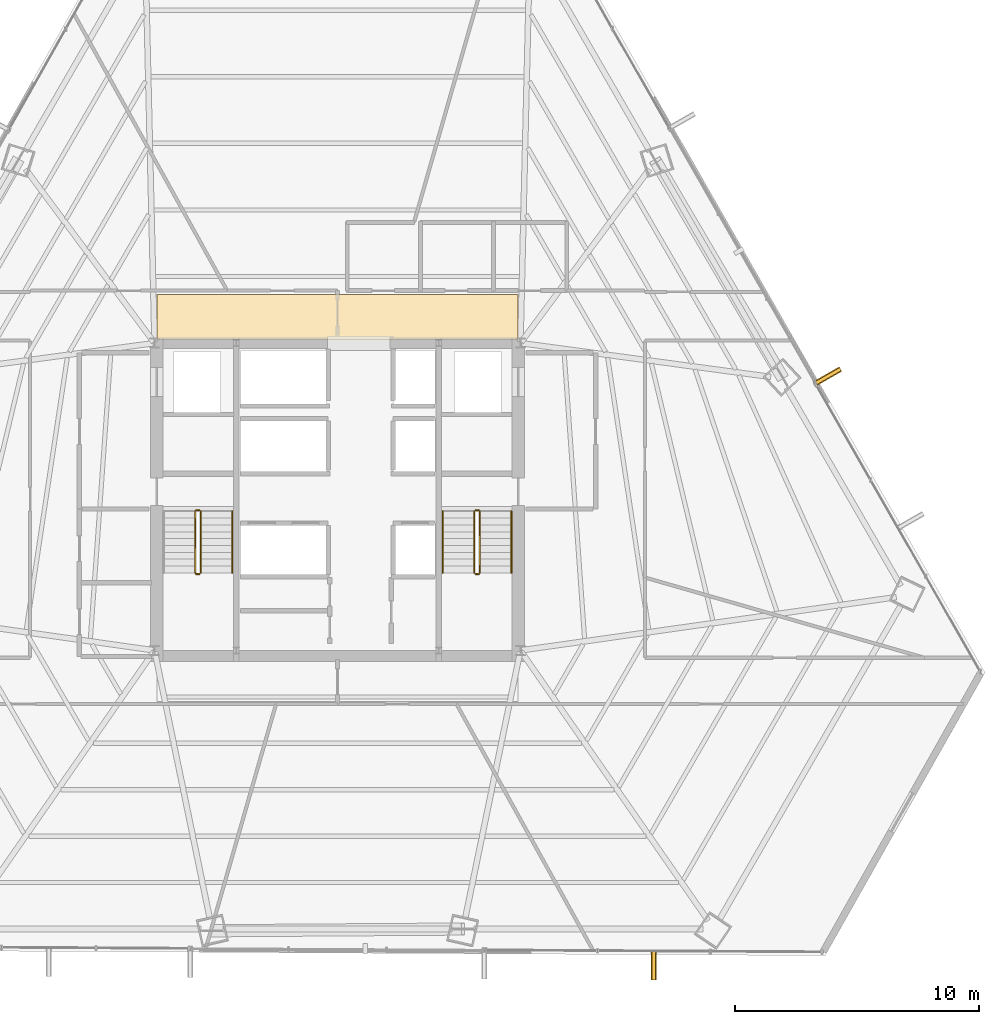
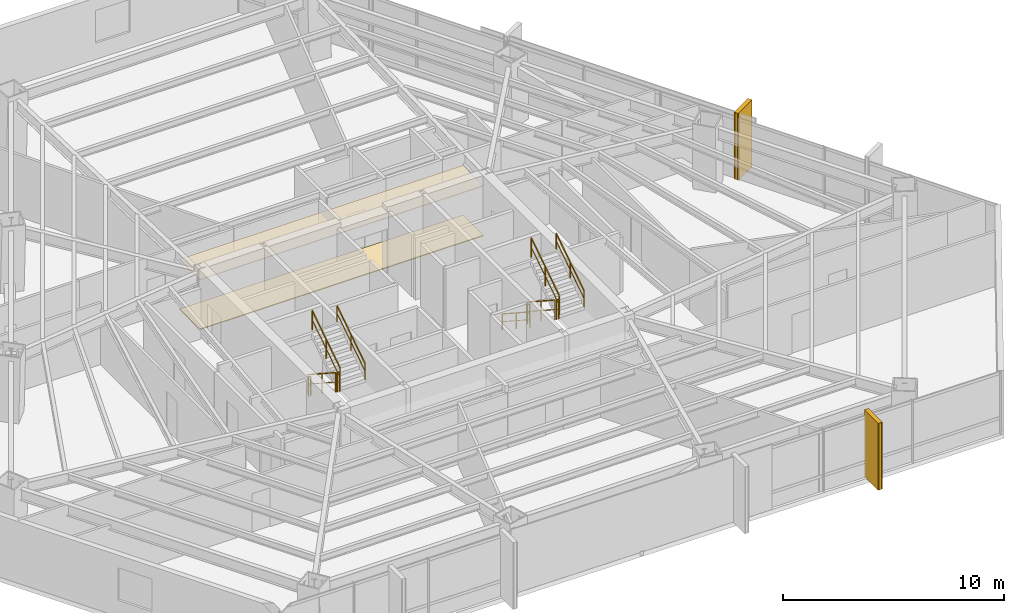
# One storey, part 35 of 36: 11 railings, 4 coverings, 2 shading devices.
"""IFC4 building model written with IfcOpenShell, lengths in metres."""

from ifc_helpers import new_model, si_unit, direction, frame, origin, origin_2d, place, context, subcontext, project, spatial, polyline, rectangle, outline, extrude, source, transform, mapped, material, layer, layer_set, type_object, type_shapes, element, save


model = new_model("IFC4")

# Units and contexts
model_context = context("Model", 3, precision=1e-05, world=origin(), true_north=direction((0.0, 1.0)))
body_context = subcontext(model_context, "Body", "Model", "MODEL_VIEW")
ifc_project = project(units=[si_unit("LENGTHUNIT", "METRE"), si_unit("AREAUNIT", "SQUARE_METRE"), si_unit("VOLUMEUNIT", "CUBIC_METRE"), si_unit("PLANEANGLEUNIT", "RADIAN"), si_unit("MASSUNIT", "GRAM", prefix="KILO")], contexts=[model_context])

# Site, building, storey
site_placement = place(None, origin())
site = spatial("IfcSite", under=ifc_project, at=site_placement, CompositionType="ELEMENT")
building_placement = place(site_placement, origin())
building = spatial("IfcBuilding", under=site, at=building_placement, Name="Caelisora Broadcast Tower", CompositionType="ELEMENT")
storey_placement = place(building_placement, frame((0.0, 0.0, 83.5)))
storey = spatial("IfcBuildingStorey", under=building, at=storey_placement, Name="L21", CompositionType="ELEMENT", Elevation=83.5)

# Coverings
ifc_material_1 = material(Name="Perforated Mineral-Fibre Acoustic Ceiling Tile", Category="gypsum")
ifc_layer_1 = layer(ifc_material_1, 0.034912109375, Name="Perforated Mineral-Fibre Acoustic Ceiling Tile")
ifc_layer_set_1 = layer_set([ifc_layer_1], Name="Perforated Mineral-Fibre Acoustic Ceiling Tile")
covering_type_1 = type_object("IfcCoveringType", Name="CE-1", PredefinedType="CEILING", material=ifc_layer_set_1)
covering_1_placement = place(storey_placement, frame((0.0, 0.0, 2.75)))
element("IfcCovering", 1, at=covering_1_placement, inside=storey, type_object=covering_type_1, Name="L21 acoustic corridor ceiling CE-1 (N)", PredefinedType="CEILING", context=body_context, shape_type="SweptSolid", body=[
    extrude(outline(polyline([(30.60009765625, 30.14990234375), (45.39990234375, 30.14990234375), (45.39990234375, 32.0), (30.60009765625, 32.0), (30.60009765625, 30.14990234375)])), origin(), (0.0, 0.0, 1.0), 0.034912109375),
])
ifc_material_2 = material(Name="Anti-Static Broadcast Raised Access Floor Panel", Category="steel")
ifc_layer_2 = layer(ifc_material_2, 0.044921875, Name="Anti-Static Broadcast Raised Access Floor Panel")
ifc_layer_set_2 = layer_set([ifc_layer_2], Name="Anti-Static Broadcast Raised Access Floor Panel")
covering_type_2 = type_object("IfcCoveringType", Name="FL-1", PredefinedType="FLOORING", material=ifc_layer_set_2)
covering_2_placement = place(storey_placement, origin())
element("IfcCovering", 2, at=covering_2_placement, inside=storey, type_object=covering_type_2, Name="L21 broadcast raised access floor FL-1 (N)", PredefinedType="FLOORING", context=body_context, shape_type="SweptSolid", body=[
    extrude(outline(polyline([(30.60009765625, 30.14990234375), (45.39990234375, 30.14990234375), (45.39990234375, 32.0), (30.60009765625, 32.0), (30.60009765625, 30.14990234375)])), origin(), (0.0, 0.0, 1.0), 0.044921875),
])

# Railings
ifc_material_3 = material(Name="Galvanised Steel Safety Guardrail", Category="steel")
ifc_layer_3 = layer(ifc_material_3, 0.048095703125, Name="Galvanised Steel Safety Guardrail")
ifc_layer_set_3 = layer_set([ifc_layer_3], Name="Galvanised Steel Safety Guardrail")
railing_type_1 = type_object("IfcRailingType", Name="GR-1", PredefinedType="GUARDRAIL", material=ifc_layer_set_3)
railing_1_placement = place(storey_placement, frame((32.169921875, 23.10009765625, 0.1826171875)))
element("IfcRailing", 3, at=railing_1_placement, inside=storey, type_object=railing_type_1, Name="L21 ST-1 stair guard 1", PredefinedType="GUARDRAIL", context=body_context, shape_type="SweptSolid", body=[
    extrude(rectangle(XDim=0.048095703125, YDim=0.048095703125, at=origin_2d()), frame((0.0, 0.0, 1.076171875), z_axis=(0.0, -0.837786554691, 0.545997883492), x_axis=(1.0, 0.0, 0.0)), (0.0, 0.0, 1.0), 3.008056640625),
    extrude(rectangle(XDim=0.03125, YDim=0.03125, at=origin_2d()), frame((0.0, 0.0, 0.550048828125), z_axis=(0.0, -0.837786554691, 0.545997883492), x_axis=(1.0, 0.0, 0.0)), (0.0, 0.0, 1.0), 3.008056640625),
    extrude(rectangle(XDim=0.0419921875, YDim=0.0419921875, at=origin_2d()), origin(), (0.0, 0.0, 1.0), 1.052001953125),
    extrude(rectangle(XDim=0.0419921875, YDim=0.0419921875, at=origin_2d()), frame((0.0, -1.260009765625, 0.8212890625)), (0.0, 0.0, 1.0), 1.052001953125),
    extrude(rectangle(XDim=0.0419921875, YDim=0.0419921875, at=origin_2d()), frame((0.0, -2.52001953125, 1.642333984375)), (0.0, 0.0, 1.0), 1.052001953125),
])
railing_2_placement = place(storey_placement, frame((32.219970703125, 20.530029296875, 1.824951171875)))
element("IfcRailing", 4, at=railing_2_placement, inside=storey, type_object=railing_type_1, Name="L21 ST-1 stair guard 2", PredefinedType="GUARDRAIL", context=body_context, shape_type="SweptSolid", body=[
    extrude(rectangle(XDim=0.048095703125, YDim=0.048095703125, at=origin_2d()), frame((0.0, 0.0, 1.076171875), z_axis=(1.0, 0.0, 0.0), x_axis=(0.0, 1.0, 0.0)), (0.0, 0.0, 1.0), 0.1201171875),
    extrude(rectangle(XDim=0.03125, YDim=0.03125, at=origin_2d()), frame((0.0, 0.0, 0.550048828125), z_axis=(1.0, 0.0, 0.0), x_axis=(0.0, 1.0, 0.0)), (0.0, 0.0, 1.0), 0.1201171875),
    extrude(rectangle(XDim=0.0419921875, YDim=0.0419921875, at=origin_2d()), origin(), (0.0, 0.0, 1.0), 1.052001953125),
    extrude(rectangle(XDim=0.0419921875, YDim=0.0419921875, at=origin_2d()), frame((0.1201171875, 0.0, 0.0)), (0.0, 0.0, 1.0), 1.052001953125),
])
railing_3_placement = place(storey_placement, frame((32.389892578125, 20.580078125, 2.007568359375)))
element("IfcRailing", 5, at=railing_3_placement, inside=storey, type_object=railing_type_1, Name="L21 ST-1 stair guard 3", PredefinedType="GUARDRAIL", context=body_context, shape_type="SweptSolid", body=[
    extrude(rectangle(XDim=0.048095703125, YDim=0.048095703125, at=origin_2d()), frame((0.0, 0.0, 1.076171875), z_axis=(0.0, 0.837786554691, 0.545997883492), x_axis=(-1.0, 0.0, 0.0)), (0.0, 0.0, 1.0), 3.008056640625),
    extrude(rectangle(XDim=0.03125, YDim=0.03125, at=origin_2d()), frame((0.0, 0.0, 0.550048828125), z_axis=(0.0, 0.837786554691, 0.545997883492), x_axis=(-1.0, 0.0, 0.0)), (0.0, 0.0, 1.0), 3.008056640625),
    extrude(rectangle(XDim=0.0419921875, YDim=0.0419921875, at=origin_2d()), origin(), (0.0, 0.0, 1.0), 1.052001953125),
    extrude(rectangle(XDim=0.0419921875, YDim=0.0419921875, at=origin_2d()), frame((0.0, 1.260009765625, 0.8212890625)), (0.0, 0.0, 1.0), 1.052001953125),
    extrude(rectangle(XDim=0.0419921875, YDim=0.0419921875, at=origin_2d()), frame((0.0, 2.52001953125, 1.642333984375)), (0.0, 0.0, 1.0), 1.052001953125),
])
railing_4_placement = place(storey_placement, frame((32.219970703125, 23.14990234375, 0.0)))
element("IfcRailing", 6, at=railing_4_placement, inside=storey, type_object=railing_type_1, Name="L21 ST-1 stair guard 4", PredefinedType="GUARDRAIL", context=body_context, shape_type="SweptSolid", body=[
    extrude(rectangle(XDim=0.048095703125, YDim=0.048095703125, at=origin_2d()), frame((0.0, 0.0, 1.076171875), z_axis=(1.0, 0.0, 0.0), x_axis=(0.0, 1.0, 0.0)), (0.0, 0.0, 1.0), 0.1201171875),
    extrude(rectangle(XDim=0.03125, YDim=0.03125, at=origin_2d()), frame((0.0, 0.0, 0.550048828125), z_axis=(1.0, 0.0, 0.0), x_axis=(0.0, 1.0, 0.0)), (0.0, 0.0, 1.0), 0.1201171875),
    extrude(rectangle(XDim=0.0419921875, YDim=0.0419921875, at=origin_2d()), origin(), (0.0, 0.0, 1.0), 1.052001953125),
    extrude(rectangle(XDim=0.0419921875, YDim=0.0419921875, at=origin_2d()), frame((0.1201171875, 0.0, 0.0)), (0.0, 0.0, 1.0), 1.052001953125),
])
railing_5_placement = place(storey_placement, frame((43.610107421875, 23.10009765625, 0.1826171875)))
element("IfcRailing", 7, at=railing_5_placement, inside=storey, type_object=railing_type_1, Name="L21 ST-2 stair guard 1", PredefinedType="GUARDRAIL", context=body_context, shape_type="SweptSolid", body=[
    extrude(rectangle(XDim=0.048095703125, YDim=0.048095703125, at=origin_2d()), frame((0.0, 0.0, 1.076171875), z_axis=(0.0, -0.837786554691, 0.545997883492), x_axis=(1.0, 0.0, 0.0)), (0.0, 0.0, 1.0), 3.008056640625),
    extrude(rectangle(XDim=0.03125, YDim=0.03125, at=origin_2d()), frame((0.0, 0.0, 0.550048828125), z_axis=(0.0, -0.837786554691, 0.545997883492), x_axis=(1.0, 0.0, 0.0)), (0.0, 0.0, 1.0), 3.008056640625),
    extrude(rectangle(XDim=0.0419921875, YDim=0.0419921875, at=origin_2d()), origin(), (0.0, 0.0, 1.0), 1.052001953125),
    extrude(rectangle(XDim=0.0419921875, YDim=0.0419921875, at=origin_2d()), frame((0.0, -1.260009765625, 0.8212890625)), (0.0, 0.0, 1.0), 1.052001953125),
    extrude(rectangle(XDim=0.0419921875, YDim=0.0419921875, at=origin_2d()), frame((0.0, -2.52001953125, 1.642333984375)), (0.0, 0.0, 1.0), 1.052001953125),
])
railing_6_placement = place(storey_placement, frame((43.659912109375, 20.530029296875, 1.824951171875)))
element("IfcRailing", 8, at=railing_6_placement, inside=storey, type_object=railing_type_1, Name="L21 ST-2 stair guard 2", PredefinedType="GUARDRAIL", context=body_context, shape_type="SweptSolid", body=[
    extrude(rectangle(XDim=0.048095703125, YDim=0.048095703125, at=origin_2d()), frame((0.0, 0.0, 1.076171875), z_axis=(1.0, 0.0, 0.0), x_axis=(0.0, 1.0, 0.0)), (0.0, 0.0, 1.0), 0.1201171875),
    extrude(rectangle(XDim=0.03125, YDim=0.03125, at=origin_2d()), frame((0.0, 0.0, 0.550048828125), z_axis=(1.0, 0.0, 0.0), x_axis=(0.0, 1.0, 0.0)), (0.0, 0.0, 1.0), 0.1201171875),
    extrude(rectangle(XDim=0.0419921875, YDim=0.0419921875, at=origin_2d()), origin(), (0.0, 0.0, 1.0), 1.052001953125),
    extrude(rectangle(XDim=0.0419921875, YDim=0.0419921875, at=origin_2d()), frame((0.1201171875, 0.0, 0.0)), (0.0, 0.0, 1.0), 1.052001953125),
])
railing_7_placement = place(storey_placement, frame((43.830078125, 20.580078125, 2.007568359375)))
element("IfcRailing", 9, at=railing_7_placement, inside=storey, type_object=railing_type_1, Name="L21 ST-2 stair guard 3", PredefinedType="GUARDRAIL", context=body_context, shape_type="SweptSolid", body=[
    extrude(rectangle(XDim=0.048095703125, YDim=0.048095703125, at=origin_2d()), frame((0.0, 0.0, 1.076171875), z_axis=(0.0, 0.837786554691, 0.545997883492), x_axis=(-1.0, 0.0, 0.0)), (0.0, 0.0, 1.0), 3.008056640625),
    extrude(rectangle(XDim=0.03125, YDim=0.03125, at=origin_2d()), frame((0.0, 0.0, 0.550048828125), z_axis=(0.0, 0.837786554691, 0.545997883492), x_axis=(-1.0, 0.0, 0.0)), (0.0, 0.0, 1.0), 3.008056640625),
    extrude(rectangle(XDim=0.0419921875, YDim=0.0419921875, at=origin_2d()), origin(), (0.0, 0.0, 1.0), 1.052001953125),
    extrude(rectangle(XDim=0.0419921875, YDim=0.0419921875, at=origin_2d()), frame((0.0, 1.260009765625, 0.8212890625)), (0.0, 0.0, 1.0), 1.052001953125),
    extrude(rectangle(XDim=0.0419921875, YDim=0.0419921875, at=origin_2d()), frame((0.0, 2.52001953125, 1.642333984375)), (0.0, 0.0, 1.0), 1.052001953125),
])
railing_8_placement = place(storey_placement, frame((43.659912109375, 23.14990234375, 0.0)))
element("IfcRailing", 10, at=railing_8_placement, inside=storey, type_object=railing_type_1, Name="L21 ST-2 stair guard 4", PredefinedType="GUARDRAIL", context=body_context, shape_type="SweptSolid", body=[
    extrude(rectangle(XDim=0.048095703125, YDim=0.048095703125, at=origin_2d()), frame((0.0, 0.0, 1.076171875), z_axis=(1.0, 0.0, 0.0), x_axis=(0.0, 1.0, 0.0)), (0.0, 0.0, 1.0), 0.1201171875),
    extrude(rectangle(XDim=0.03125, YDim=0.03125, at=origin_2d()), frame((0.0, 0.0, 0.550048828125), z_axis=(1.0, 0.0, 0.0), x_axis=(0.0, 1.0, 0.0)), (0.0, 0.0, 1.0), 0.1201171875),
    extrude(rectangle(XDim=0.0419921875, YDim=0.0419921875, at=origin_2d()), origin(), (0.0, 0.0, 1.0), 1.052001953125),
    extrude(rectangle(XDim=0.0419921875, YDim=0.0419921875, at=origin_2d()), frame((0.1201171875, 0.0, 0.0)), (0.0, 0.0, 1.0), 1.052001953125),
])
ifc_material_4 = material(Name="Stainless Steel Grade 316 Tubular Handrail", Category="steel")
ifc_layer_4 = layer(ifc_material_4, 0.048095703125, Name="Stainless Steel Grade 316 Tubular Handrail")
ifc_layer_set_4 = layer_set([ifc_layer_4], Name="Stainless Steel Grade 316 Tubular Handrail")
railing_type_2 = type_object("IfcRailingType", Name="HR-1", PredefinedType="HANDRAIL", material=ifc_layer_set_4)
railing_9_placement = place(storey_placement, frame((33.68994140625, 20.580078125, 2.007568359375)))
element("IfcRailing", 11, at=railing_9_placement, inside=storey, type_object=railing_type_2, Name="L21 ST-1 stair handrail 2", PredefinedType="HANDRAIL", context=body_context, shape_type="SweptSolid", body=[
    extrude(rectangle(XDim=0.048095703125, YDim=0.048095703125, at=origin_2d()), frame((0.0, 0.0, 0.8759765625), z_axis=(0.0, 0.837786554691, 0.545997883492), x_axis=(-1.0, 0.0, 0.0)), (0.0, 0.0, 1.0), 3.008056640625),
    extrude(rectangle(XDim=0.03125, YDim=0.03125, at=origin_2d()), frame((0.0, 0.0, 0.449951171875), z_axis=(0.0, 0.837786554691, 0.545997883492), x_axis=(-1.0, 0.0, 0.0)), (0.0, 0.0, 1.0), 3.008056640625),
    extrude(rectangle(XDim=0.0419921875, YDim=0.0419921875, at=origin_2d()), origin(), (0.0, 0.0, 1.0), 0.851806640625),
    extrude(rectangle(XDim=0.0419921875, YDim=0.0419921875, at=origin_2d()), frame((0.0, 1.260009765625, 0.8212890625)), (0.0, 0.0, 1.0), 0.851806640625),
    extrude(rectangle(XDim=0.0419921875, YDim=0.0419921875, at=origin_2d()), frame((0.0, 2.52001953125, 1.642333984375)), (0.0, 0.0, 1.0), 0.851806640625),
])
railing_10_placement = place(storey_placement, frame((42.31005859375, 23.10009765625, 0.1826171875)))
element("IfcRailing", 12, at=railing_10_placement, inside=storey, type_object=railing_type_2, Name="L21 ST-2 stair handrail 1", PredefinedType="HANDRAIL", context=body_context, shape_type="SweptSolid", body=[
    extrude(rectangle(XDim=0.048095703125, YDim=0.048095703125, at=origin_2d()), frame((0.0, 0.0, 0.8759765625), z_axis=(0.0, -0.837786554691, 0.545997883492), x_axis=(1.0, 0.0, 0.0)), (0.0, 0.0, 1.0), 3.008056640625),
    extrude(rectangle(XDim=0.03125, YDim=0.03125, at=origin_2d()), frame((0.0, 0.0, 0.449951171875), z_axis=(0.0, -0.837786554691, 0.545997883492), x_axis=(1.0, 0.0, 0.0)), (0.0, 0.0, 1.0), 3.008056640625),
    extrude(rectangle(XDim=0.0419921875, YDim=0.0419921875, at=origin_2d()), origin(), (0.0, 0.0, 1.0), 0.851806640625),
    extrude(rectangle(XDim=0.0419921875, YDim=0.0419921875, at=origin_2d()), frame((0.0, -1.260009765625, 0.8212890625)), (0.0, 0.0, 1.0), 0.851806640625),
    extrude(rectangle(XDim=0.0419921875, YDim=0.0419921875, at=origin_2d()), frame((0.0, -2.52001953125, 1.642333984375)), (0.0, 0.0, 1.0), 0.851806640625),
])
railing_11_placement = place(storey_placement, frame((45.1298828125, 20.580078125, 2.007568359375)))
element("IfcRailing", 13, at=railing_11_placement, inside=storey, type_object=railing_type_2, Name="L21 ST-2 stair handrail 2", PredefinedType="HANDRAIL", context=body_context, shape_type="SweptSolid", body=[
    extrude(rectangle(XDim=0.048095703125, YDim=0.048095703125, at=origin_2d()), frame((0.0, 0.0, 0.8759765625), z_axis=(0.0, 0.837786554691, 0.545997883492), x_axis=(-1.0, 0.0, 0.0)), (0.0, 0.0, 1.0), 3.008056640625),
    extrude(rectangle(XDim=0.03125, YDim=0.03125, at=origin_2d()), frame((0.0, 0.0, 0.449951171875), z_axis=(0.0, 0.837786554691, 0.545997883492), x_axis=(-1.0, 0.0, 0.0)), (0.0, 0.0, 1.0), 3.008056640625),
    extrude(rectangle(XDim=0.0419921875, YDim=0.0419921875, at=origin_2d()), origin(), (0.0, 0.0, 1.0), 0.851806640625),
    extrude(rectangle(XDim=0.0419921875, YDim=0.0419921875, at=origin_2d()), frame((0.0, 1.260009765625, 0.8212890625)), (0.0, 0.0, 1.0), 0.851806640625),
    extrude(rectangle(XDim=0.0419921875, YDim=0.0419921875, at=origin_2d()), frame((0.0, 2.52001953125, 1.642333984375)), (0.0, 0.0, 1.0), 0.851806640625),
])

# Coverings
ifc_material_5 = material(Name="Kiln-Fired Terracotta Spandrel Rainscreen Cladding", Category="ceramic")
ifc_layer_5 = layer(ifc_material_5, 0.044921875, Name="Kiln-Fired Terracotta Spandrel Rainscreen Cladding")
ifc_layer_set_5 = layer_set([ifc_layer_5], Name="Kiln-Fired Terracotta Spandrel Rainscreen Cladding")
covering_type_3 = type_object("IfcCoveringType", Name="CL-1", PredefinedType="CLADDING", material=ifc_layer_set_5)
shared_shape_1 = source(origin(), body_context, "Body", "SweptSolid", [
    extrude(rectangle(XDim=0.219970703125, YDim=1.25, at=origin_2d()), origin(), (0.0, 0.0, 1.0), 3.68994140625),
])
type_shapes(covering_type_3, [shared_shape_1])
for number, where, z_axis, x_axis, name in (
    (14, (58.079833984375, 28.624755859375, -0.02001953125), (0.0, 0.0, 1.0), (0.496519531995, -0.868025549363, 0.0), "L21 vertical solar fin cladding #1-3"),
    (15, (50.96337890625, 4.515380859375, -0.02001953125), (0.0, 0.0, 1.0), (-0.999984403629, 0.005585024571, 0.0), "L21 vertical solar fin cladding #2-1"),
):
    element("IfcCovering", number, at=place(storey_placement, frame(where, z_axis=z_axis, x_axis=x_axis)), inside=storey, type_object=covering_type_3, Name=name, PredefinedType="CLADDING", context=body_context, shape_type="MappedRepresentation", body=[
        mapped(shared_shape_1, transform((0.0, 0.0, 0.0), scale=1.0)),
    ])

# Shading devices
ifc_material_6 = material(Name="Extruded Terracotta Flaring Colonnade Fin", Category="ceramic")
ifc_layer_6 = layer(ifc_material_6, 0.139892578125, Name="Extruded Terracotta Flaring Colonnade Fin")
ifc_layer_set_6 = layer_set([ifc_layer_6], Name="Extruded Terracotta Flaring Colonnade Fin")
shading_device_type = type_object("IfcShadingDeviceType", Name="FN-1", PredefinedType="USERDEFINED", material=ifc_layer_set_6)
shared_shape_2 = source(origin(), body_context, "Body", "SweptSolid", [
    extrude(rectangle(XDim=0.139892578125, YDim=1.25, at=origin_2d()), origin(), (0.0, 0.0, 1.0), 3.669921875),
])
type_shapes(shading_device_type, [shared_shape_2])
for number, where, z_axis, x_axis, name in (
    (16, (58.079833984375, 28.624755859375, -0.010009765625), (0.0, 0.0, 1.0), (0.496519531995, -0.868025549363, 0.0), "L21 vertical terracotta fin #1-3"),
    (17, (50.96337890625, 4.515380859375, -0.010009765625), (0.0, 0.0, 1.0), (-0.999984403629, 0.005585024571, 0.0), "L21 vertical terracotta fin #2-1"),
):
    element("IfcShadingDevice", number, at=place(storey_placement, frame(where, z_axis=z_axis, x_axis=x_axis)), inside=storey, type_object=shading_device_type, Name=name, ObjectType="FIN", PredefinedType="USERDEFINED", context=body_context, shape_type="MappedRepresentation", body=[
        mapped(shared_shape_2, transform((0.0, 0.0, 0.0), scale=1.0)),
    ])

save(model, "model.ifc")
